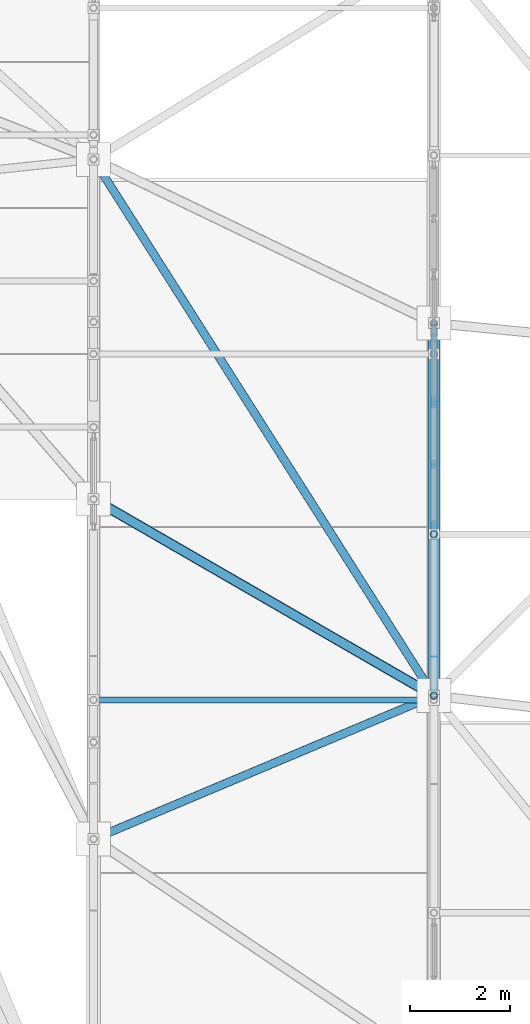
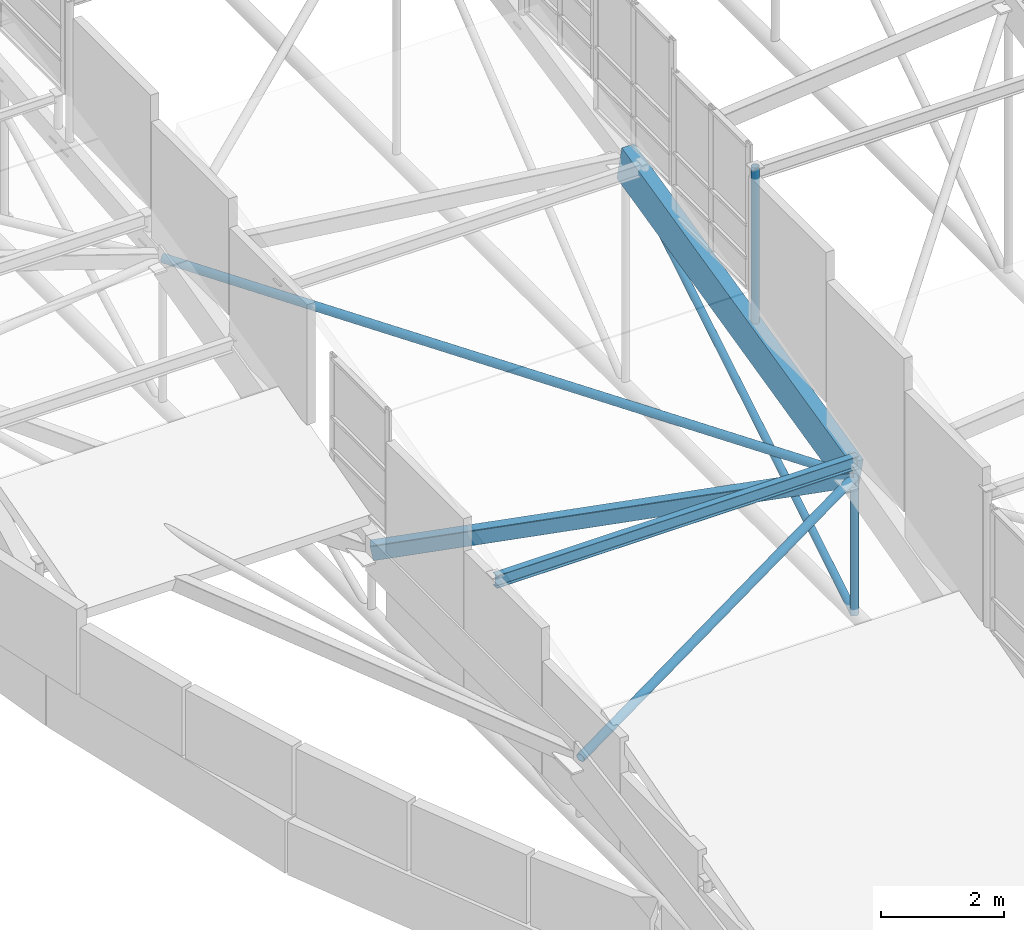
# One storey, part 12 of 188: 8 members.
"""IFC4 building model written with IfcOpenShell, lengths in metres."""

import ifcopenshell
import ifcopenshell.guid

model = None  # the IFC model being written
_history = None  # IfcOwnerHistory: only IFC2X3 demands one
_inside = {}  # id of a spatial element -> (the spatial element, [elements in it])
_under = {}  # id of a project, library or spatial element -> (it, [spatial elements below it])
_declared = {}  # id of a project -> (the project, [libraries it declares])
_typed = {}  # id of a type object -> (the type object, [elements of that type])
_made_of = {}  # id of a material, layer set ... -> (it, [elements and type objects made of it])


def new_model(schema):
    """Start an empty IFC model of exactly this schema.

    Asked for "IFC4X3", IfcOpenShell would pick the latest addendum, in which some entities
    have other attributes; the version numbers below select the first issue.
    IFC2X3 requires an IfcOwnerHistory on every rooted entity: one is made here for all.
    """
    global model, _history
    if schema == "IFC4X3":
        model = ifcopenshell.file(schema_version=(4, 3, 0, 0))
    else:
        model = ifcopenshell.file(schema=schema)
    _inside.clear()
    _under.clear()
    _declared.clear()
    _typed.clear()
    _made_of.clear()
    _history = None
    if model.schema == "IFC2X3":
        org = make("IfcOrganization", Name="unknown")
        user = make(
            "IfcPersonAndOrganization",
            ThePerson=make("IfcPerson", FamilyName="unknown"),
            TheOrganization=org,
        )
        app = make(
            "IfcApplication",
            ApplicationDeveloper=org,
            Version="unknown",
            ApplicationFullName="unknown",
            ApplicationIdentifier="unknown",
        )
        _history = make(
            "IfcOwnerHistory",
            OwningUser=user,
            OwningApplication=app,
            ChangeAction="ADDED",
            CreationDate=0,
        )
    return model


def make(cls, **values):
    """One entity of the class cls with the attributes given. An attribute that is None is left unset."""
    return model.create_entity(
        cls, **{name: value for name, value in values.items() if value is not None}
    )


def rooted(cls, **values):
    """An entity with a GlobalId (a new one), such as an element, a storey or a relation."""
    return make(cls, GlobalId=ifcopenshell.guid.new(), OwnerHistory=_history, **values)


def si_unit(unit_type, name, prefix=None):
    """IfcSIUnit, for example si_unit("LENGTHUNIT", "METRE", prefix="MILLI")."""
    return make("IfcSIUnit", UnitType=unit_type, Prefix=prefix, Name=name)


def assignment(units):
    """IfcUnitAssignment: the units of a project."""
    return None if units is None else make("IfcUnitAssignment", Units=units)


def point(xyz):
    """IfcCartesianPoint."""
    return None if xyz is None else make("IfcCartesianPoint", Coordinates=xyz)


def direction(xyz):
    """IfcDirection."""
    return None if xyz is None else make("IfcDirection", DirectionRatios=xyz)


def frame(location, z_axis=None, x_axis=None):
    """IfcAxis2Placement3D, a coordinate frame: its origin and axes. An axis left out is left unset."""
    return make(
        "IfcAxis2Placement3D",
        Location=point(location),
        Axis=direction(z_axis),
        RefDirection=direction(x_axis),
    )


def frame_2d(location, x_axis=None):
    """IfcAxis2Placement2D, a coordinate frame in the plane: its origin and x axis."""
    return make(
        "IfcAxis2Placement2D", Location=point(location), RefDirection=direction(x_axis)
    )


def origin():
    """The frame at (0, 0, 0) with its axes left unset."""
    return frame((0.0, 0.0, 0.0))


def origin_2d():
    """The frame at (0, 0) in the plane with its x axis left unset."""
    return frame_2d((0.0, 0.0))


def place(relative_to, where):
    """IfcLocalPlacement: puts the frame where relative to a parent placement (None: the world)."""
    return make(
        "IfcLocalPlacement", PlacementRelTo=relative_to, RelativePlacement=where
    )


def context(
    kind, dimensions, precision=None, world=None, true_north=None, identifier=None
):
    """IfcGeometricRepresentationContext, for example the 3D "Model" context."""
    return make(
        "IfcGeometricRepresentationContext",
        ContextIdentifier=identifier,
        ContextType=kind,
        CoordinateSpaceDimension=dimensions,
        Precision=precision,
        WorldCoordinateSystem=world,
        TrueNorth=true_north,
    )


def subcontext(parent, identifier, kind, view, scale=None):
    """IfcGeometricRepresentationSubContext, for example "Body" below "Model"."""
    return make(
        "IfcGeometricRepresentationSubContext",
        ContextIdentifier=identifier,
        ContextType=kind,
        ParentContext=parent,
        TargetScale=scale,
        TargetView=view,
    )


def project(units=None, contexts=None):
    """IfcProject with its units and contexts."""
    return rooted(
        "IfcProject",
        Name="project",
        RepresentationContexts=contexts,
        UnitsInContext=assignment(units),
    )


def spatial(cls, under=None, at=None, **own):
    """A site, building, storey or space (cls), placed at a placement, below another one or the project."""
    s = rooted(cls, ObjectPlacement=at, **own)
    if under is not None:
        _under.setdefault(under.id(), (under, []))[1].append(s)
    return s


def profile(cls, at=None, kind="AREA", **sizes):
    """A parametric profile (cls). Its sizes go by their IFC names, for example OverallWidth=200.0."""
    return make(cls, ProfileType=kind, Position=at, **sizes)


def rectangle(**sizes):
    """IfcRectangleProfileDef."""
    return profile("IfcRectangleProfileDef", **sizes)


def hollow_rectangle(**sizes):
    """IfcRectangleHollowProfileDef."""
    return profile("IfcRectangleHollowProfileDef", **sizes)


def hollow_circle(**sizes):
    """IfcCircleHollowProfileDef."""
    return profile("IfcCircleHollowProfileDef", **sizes)


def i_section(**sizes):
    """IfcIShapeProfileDef."""
    return profile("IfcIShapeProfileDef", **sizes)


def extrude(swept, where, along, depth):
    """IfcExtrudedAreaSolid: the profile swept, set in the frame where, extruded along a direction by depth."""
    return make(
        "IfcExtrudedAreaSolid",
        SweptArea=swept,
        Position=where,
        ExtrudedDirection=direction(along),
        Depth=depth,
    )


def shape(context_of_items, identifier, shape_type, items):
    """IfcShapeRepresentation: the items that make up one representation, for example the "Body"."""
    return make(
        "IfcShapeRepresentation",
        ContextOfItems=context_of_items,
        RepresentationIdentifier=identifier,
        RepresentationType=shape_type,
        Items=items,
    )


def material(Name=None, Category=None):
    """IfcMaterial."""
    return make("IfcMaterial", Name=Name, Category=Category)


def material_profile(
    of_material, cross_section, Name=None, Category=None, Priority=None
):
    """IfcMaterialProfile: a cross section and its material."""
    return make(
        "IfcMaterialProfile",
        Name=Name,
        Material=of_material,
        Profile=cross_section,
        Priority=Priority,
        Category=Category,
    )


def profile_set(profiles, Name=None, composite=None):
    """IfcMaterialProfileSet."""
    return make(
        "IfcMaterialProfileSet",
        Name=Name,
        MaterialProfiles=profiles,
        CompositeProfile=composite,
    )


def made_of(thing, what):
    """Note that an element or type object is made of a material, layer set ...; save() writes the relation."""
    if what is not None:
        _made_of.setdefault(what.id(), (what, []))[1].append(thing)
    return thing


def type_object(cls, material=None, **own):
    """A type object (cls), such as IfcWallType, which elements share."""
    return made_of(rooted(cls, **own), material)


def element(
    cls,
    number,
    at=None,
    inside=None,
    cuts=None,
    type_object=None,
    material=None,
    context=None,
    identifier="Body",
    shape_type=None,
    held_by="IfcProductDefinitionShape",
    body=None,
    shapes=None,
    **own,
):
    """One element of the class cls, such as IfcWall. Its Tag is "e" and its number.

    at: its placement. inside: the storey or other place that contains it. cuts: it is an
    opening in that element (IfcRelVoidsElement). A single representation is given by context,
    identifier, shape_type and body (its items); several are given by shapes. held_by: the class
    of the entity that holds the representations. save() writes the other relations.
    """
    e = rooted(cls, Tag="e%d" % number, ObjectPlacement=at, **own)
    if body is not None:
        shapes = [shape(context, identifier, shape_type, body)]
    if shapes is not None:
        e.Representation = make(held_by, Representations=shapes)
    if inside is not None:
        _inside.setdefault(inside.id(), (inside, []))[1].append(e)
    if cuts is not None:
        rooted(
            "IfcRelVoidsElement", RelatingBuildingElement=cuts, RelatedOpeningElement=e
        )
    if type_object is not None:
        _typed.setdefault(type_object.id(), (type_object, []))[1].append(e)
    return made_of(e, material)


def aggregate(whole, parts):
    """IfcRelAggregates: a whole, such as a stair, and the parts it consists of."""
    return rooted("IfcRelAggregates", RelatingObject=whole, RelatedObjects=parts)


def save(model, path):
    """Write the relations noted so far, then the file.

    IfcRelAggregates (storeys below a building ...), IfcRelContainedInSpatialStructure (elements
    in a storey), IfcRelDefinesByType, IfcRelAssociatesMaterial and IfcRelDeclares: one each for
    every whole, place, type object, material and project.
    """
    for whole, parts in _under.values():
        aggregate(whole, parts)
    for where, things in _inside.values():
        rooted(
            "IfcRelContainedInSpatialStructure",
            RelatedElements=things,
            RelatingStructure=where,
        )
    for kind, things in _typed.values():
        rooted("IfcRelDefinesByType", RelatedObjects=things, RelatingType=kind)
    for what, things in _made_of.values():
        rooted("IfcRelAssociatesMaterial", RelatedObjects=things, RelatingMaterial=what)
    for by, libraries in _declared.values():
        rooted("IfcRelDeclares", RelatingContext=by, RelatedDefinitions=libraries)
    model.write(path)


model = new_model("IFC4")

# Units and contexts
model_context = context("Model", 3, precision=1e-05, world=origin(), true_north=direction((0.0, 1.0)))
body_context = subcontext(model_context, "Body", "Model", "MODEL_VIEW")
ifc_project = project(units=[si_unit("LENGTHUNIT", "METRE"), si_unit("AREAUNIT", "SQUARE_METRE"), si_unit("VOLUMEUNIT", "CUBIC_METRE"), si_unit("PLANEANGLEUNIT", "RADIAN"), si_unit("MASSUNIT", "GRAM", prefix="KILO")], contexts=[model_context])

# Site, building, storey
site_placement = place(None, origin())
site = spatial("IfcSite", under=ifc_project, at=site_placement, CompositionType="ELEMENT")
building_placement = place(site_placement, origin())
building = spatial("IfcBuilding", under=site, at=building_placement, Name="Kisaragi Civic Commons", CompositionType="ELEMENT")
storey_placement = place(building_placement, frame((0.0, 0.0, 9.60009765625)))
storey = spatial("IfcBuildingStorey", under=building, at=storey_placement, Name="L02", CompositionType="ELEMENT", Elevation=9.60009765625)

# Members
ifc_material_1 = material(Name="Steel SN400 (SN400B)", Category="steel")
ifc_material_profile_1 = material_profile(ifc_material_1, hollow_circle(Radius=0.08251953125, WallThickness=0.006103515625, at=origin_2d()), Name="CHS-165.2x6.0", Category="steel")
ifc_profile_set_1 = profile_set([ifc_material_profile_1], Name="Steel SN400 (SN400B)")
member_type_1 = type_object("IfcMemberType", Name="BR-02", PredefinedType="BRACE", material=ifc_profile_set_1)
member_1_placement = place(storey_placement, frame((6.800048828125, 14.86669921875, 0.5673828125), z_axis=(0.90391874978, 0.380675939214, 0.194978776027), x_axis=(-0.388125043991, 0.921606722104, 0.0)))
element("IfcMember", 1, at=member_1_placement, inside=storey, type_object=member_type_1, Name="V1 diagonal gridshell steel brace 7", PredefinedType="BRACE", context=body_context, shape_type="SweptSolid", body=[
    extrude(hollow_circle(Radius=0.08251953125, WallThickness=0.006103515625, at=origin_2d()), origin(), (0.0, 0.0, 1.0), 7.52294921875),
])
member_2_placement = place(storey_placement, frame((6.800048828125, 28.447509765625, 2.25341796875), z_axis=(0.535679922073, -0.844244481358, -0.017270691488), x_axis=(0.844370418796, 0.535759830392, 0.0)))
element("IfcMember", 2, at=member_2_placement, inside=storey, type_object=member_type_1, Name="V1 diagonal gridshell steel brace 8", PredefinedType="BRACE", context=body_context, shape_type="SweptSolid", body=[
    extrude(hollow_circle(Radius=0.08251953125, WallThickness=0.006103515625, at=origin_2d()), origin(), (0.0, 0.0, 1.0), 12.6943359375),
])
ifc_material_2 = material(Name="Steel SN490 (SN490B)", Category="steel")
ifc_material_profile_2 = material_profile(ifc_material_2, hollow_rectangle(XDim=0.199951171875, YDim=0.300048828125, WallThickness=0.009033203125, InnerFilletRadius=0.009033203125, OuterFilletRadius=0.01806640625, at=origin_2d()), Name="STKR-300x200x9", Category="steel")
ifc_profile_set_2 = profile_set([ifc_material_profile_2], Name="Steel SN490 (SN490B)")
member_type_2 = type_object("IfcMemberType", Name="GC-02", PredefinedType="CHORD", material=ifc_profile_set_2)
member_3_placement = place(storey_placement, frame((6.800048828125, 21.6572265625, 0.5673828125), z_axis=(0.851260081595, -0.491568849042, 0.183620097305), x_axis=(0.500071421526, 0.86598416462, 0.0)))
element("IfcMember", 3, at=member_3_placement, inside=storey, type_object=member_type_2, Name="V1 wave gridshell chord GC-02 9", PredefinedType="CHORD", context=body_context, shape_type="SweptSolid", body=[
    extrude(hollow_rectangle(XDim=0.199951171875, YDim=0.300048828125, WallThickness=0.009033203125, InnerFilletRadius=0.009033203125, OuterFilletRadius=0.01806640625, at=origin_2d()), origin(), (0.0, 0.0, 1.0), 7.98828125),
])
ifc_material_3 = material(Name="Glulam E120-F330", Category="wood")
ifc_material_profile_3 = material_profile(ifc_material_3, rectangle(XDim=0.239990234375, YDim=0.719970703125, at=origin_2d()), Name="GL-240x720", Category="wood")
ifc_profile_set_3 = profile_set([ifc_material_profile_3], Name="Glulam E120-F330")
member_type_3 = type_object("IfcMemberType", Name="GR-02", PredefinedType="RAFTER", material=ifc_profile_set_3)
member_4_placement = place(storey_placement, frame((13.60009765625, 17.73046875, 2.0341796875), z_axis=(0.0, 0.973417586976, 0.229037554488), x_axis=(-1.0, 0.0, 0.0)))
element("IfcMember", 4, at=member_4_placement, inside=storey, type_object=member_type_3, Name="V1 glulam arch rib GR-02 19", PredefinedType="RAFTER", context=body_context, shape_type="SweptSolid", body=[
    extrude(rectangle(XDim=0.239990234375, YDim=0.719970703125, at=origin_2d()), origin(), (0.0, 0.0, 1.0), 7.648193359375),
])
ifc_material_profile_4 = material_profile(ifc_material_1, i_section(OverallWidth=0.125, OverallDepth=0.25, WebThickness=0.006103515625, FlangeThickness=0.009033203125, FilletRadius=0.008056640625, at=origin_2d()), Name="H-250x125x6x9", Category="steel")
ifc_profile_set_4 = profile_set([ifc_material_profile_4], Name="Steel SN400 (SN400B)")
member_type_4 = type_object("IfcMemberType", Name="PR-01", PredefinedType="PURLIN", material=ifc_profile_set_4)
member_5_placement = place(storey_placement, frame((6.800048828125, 17.6455078125, 2.40380859375), z_axis=(1.0, 0.0, 0.0), x_axis=(0.0, 1.0, 0.0)))
element("IfcMember", 5, at=member_5_placement, inside=storey, type_object=member_type_4, Name="V1 wave vault steel purlin 10", PredefinedType="PURLIN", context=body_context, shape_type="SweptSolid", body=[
    extrude(i_section(OverallWidth=0.125, OverallDepth=0.25, WebThickness=0.006103515625, FlangeThickness=0.009033203125, FilletRadius=0.008056640625, at=origin_2d()), origin(), (0.0, 0.0, 1.0), 6.800048828125),
])
ifc_material_profile_5 = material_profile(ifc_material_2, hollow_circle(Radius=0.06982421875, WallThickness=0.006103515625, at=origin_2d()), Name="CHS-139.8x6.0", Category="steel")
ifc_profile_set_5 = profile_set([ifc_material_profile_5], Name="Steel SN490 (SN490B)")
member_type_5 = type_object("IfcMemberType", Name="ST-H1", PredefinedType="STRUT", material=ifc_profile_set_5)
member_6_placement = place(storey_placement, frame((13.60009765625, 17.73046875, -0.691162109375), z_axis=(0.0, 0.0, 1.0), x_axis=(1.0, 0.0, 0.0)))
element("IfcMember", 6, at=member_6_placement, inside=storey, type_object=member_type_5, Name="V1 arch tie hanger strut 31", PredefinedType="STRUT", context=body_context, shape_type="SweptSolid", body=[
    extrude(hollow_circle(Radius=0.06982421875, WallThickness=0.006103515625, at=origin_2d()), origin(), (0.0, 0.0, 1.0), 2.725341796875),
])
member_7_placement = place(storey_placement, frame((13.60009765625, 17.73046875, -0.691162109375), z_axis=(0.0, 0.856976719816, 0.515355121925), x_axis=(-1.0, 0.0, 0.0)))
element("IfcMember", 7, at=member_7_placement, inside=storey, type_object=member_type_5, Name="V1 tied arch truss diagonal web strut 38", PredefinedType="STRUT", context=body_context, shape_type="SweptSolid", body=[
    extrude(hollow_circle(Radius=0.06982421875, WallThickness=0.006103515625, at=origin_2d()), origin(), (0.0, 0.0, 1.0), 8.687255859375),
])
member_8_placement = place(storey_placement, frame((13.60009765625, 20.959228515625, 2.7939453125), z_axis=(0.0, 0.0, 1.0), x_axis=(1.0, 0.0, 0.0)))
element("IfcMember", 8, at=member_8_placement, inside=storey, type_object=member_type_5, Name="V1 clerestory monitor horizontal tie strut 3.2.3", PredefinedType="STRUT", context=body_context, shape_type="SweptSolid", body=[
    extrude(hollow_circle(Radius=0.06982421875, WallThickness=0.006103515625, at=origin_2d()), origin(), (0.0, 0.0, 1.0), 3.448974609375),
])

save(model, "model.ifc")
